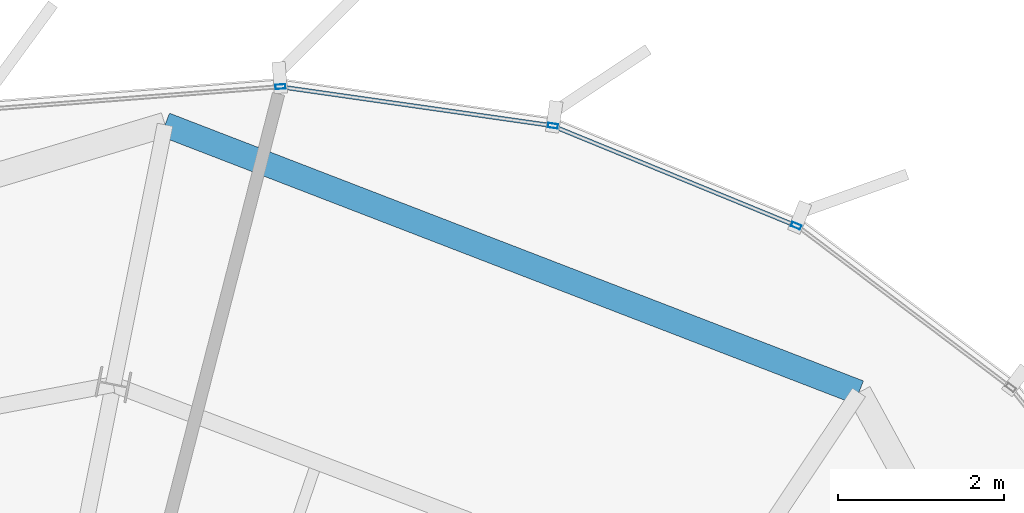
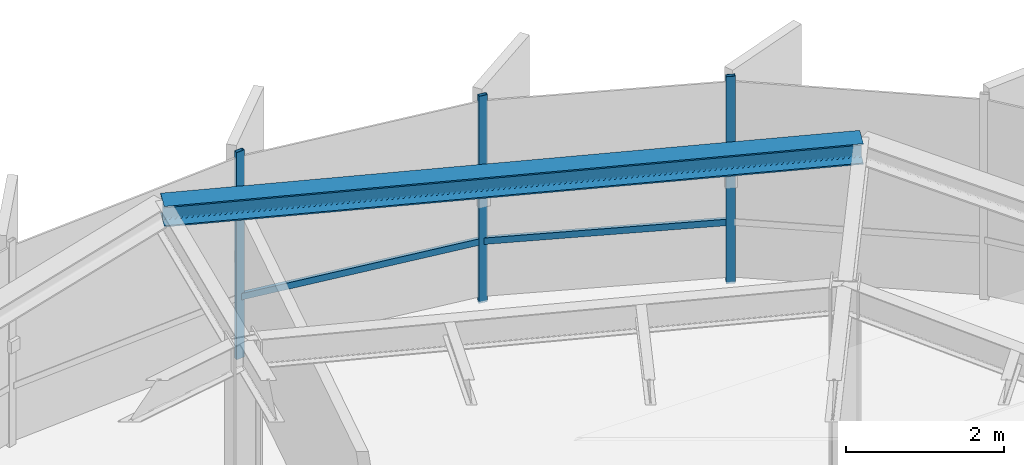
# One storey, part 22 of 31: 5 members, 1 beam, 1 element without a shape of its own.
"""IFC4 building model written with IfcOpenShell, lengths in metres."""

from ifc_helpers import new_model, si_unit, direction, frame, origin, origin_2d, place, context, subcontext, project, spatial, hollow_rectangle, i_section, extrude, source, transform, mapped, material, layer, layer_set, material_profile, profile_set, type_object, element, aggregate, save


model = new_model("IFC4")

# Units and contexts
model_context = context("Model", 3, precision=1e-05, world=origin(), true_north=direction((0.0, 1.0)))
body_context = subcontext(model_context, "Body", "Model", "MODEL_VIEW")
ifc_project = project(units=[si_unit("LENGTHUNIT", "METRE"), si_unit("AREAUNIT", "SQUARE_METRE"), si_unit("VOLUMEUNIT", "CUBIC_METRE"), si_unit("PLANEANGLEUNIT", "RADIAN"), si_unit("MASSUNIT", "GRAM", prefix="KILO"), si_unit("THERMODYNAMICTEMPERATUREUNIT", "KELVIN")], contexts=[model_context])

# Site, building, storey
site_placement = place(None, origin())
site = spatial("IfcSite", under=ifc_project, at=site_placement, CompositionType="ELEMENT")
building_placement = place(site_placement, origin())
building = spatial("IfcBuilding", under=site, at=building_placement, Name="Kethvar Cultural Tower", CompositionType="ELEMENT")
storey_placement = place(building_placement, frame((0.0, 0.0, 276.699951171875)))
storey = spatial("IfcBuildingStorey", under=building, at=storey_placement, Name="L73", CompositionType="ELEMENT", Elevation=276.699951171875)

# Beam
ifc_material_1 = material(Name="Steel S355J2", Category="steel")
ifc_material_profile_1 = material_profile(ifc_material_1, i_section(OverallWidth=0.300048828125, OverallDepth=0.320068359375, WebThickness=0.011474609375, FlangeThickness=0.0205078125, FilletRadius=0.027099609375, at=origin_2d()), Name="Steel S355J2 — HEB320")
ifc_profile_set_1 = profile_set([ifc_material_profile_1], Name="Steel S355J2 — HEB320")
beam_type = type_object("IfcBeamType", Name="BM-SP320", PredefinedType="SPANDREL", material=ifc_profile_set_1)
shared_shape_1 = source(origin(), body_context, "Body", "SweptSolid", [
    extrude(i_section(OverallWidth=0.300048828125, OverallDepth=0.320068359375, WebThickness=0.011474609375, FlangeThickness=0.0205078125, FilletRadius=0.027099609375, at=origin_2d()), origin(), (0.0, 0.0, 1.0), 8.98583984375),
])
beam_placement = place(storey_placement, frame((59.653076171875, 47.035888671875, 3.048095703125), z_axis=(-0.932983803051, 0.359918356359, 0.0), x_axis=(-0.359918356359, -0.932983803051, 0.0)))
element("IfcBeam", 1, at=beam_placement, inside=storey, type_object=beam_type, Name="L73 Perimeter Spandrel Beam SP-03", PredefinedType="SPANDREL", context=body_context, shape_type="MappedRepresentation", body=[
    mapped(shared_shape_1, transform((0.0, 0.0, 0.0), scale=1.0)),
])

# Curtain wall, members
ifc_material_2 = material(Name="Aluminium 6063-T6", Category="aluminium")
ifc_layer = layer(ifc_material_2, 0.179931640625, Name="Aluminium 6063-T6", Category="aluminium")
ifc_layer_set = layer_set([ifc_layer], Name="Aluminium 6063-T6 (180 mm)")
curtain_wall_type = type_object("IfcCurtainWallType", Name="CW-SYS-05-Z56", PredefinedType="NOTDEFINED", material=ifc_layer_set)
curtain_wall_placement = place(storey_placement, origin())
curtain_wall = element("IfcCurtainWall", 2, at=curtain_wall_placement, inside=storey, type_object=curtain_wall_type, Name="L73 Curtain Wall Run 01", PredefinedType="NOTDEFINED")
ifc_material_profile_2 = material_profile(ifc_material_2, hollow_rectangle(XDim=0.054931640625, YDim=0.1201171875, WallThickness=0.00390625, at=origin_2d()), Name="Aluminium 6063-T6 — RHS120x55x4")
ifc_profile_set_2 = profile_set([ifc_material_profile_2], Name="Aluminium 6063-T6 — RHS120x55x4")
member_type_1 = type_object("IfcMemberType", Name="CW-SYS-05-Z56-MUL", PredefinedType="MULLION", material=ifc_profile_set_2)
shared_shape_2 = source(origin(), body_context, "Body", "SweptSolid", [
    extrude(hollow_rectangle(XDim=0.054931640625, YDim=0.1201171875, WallThickness=0.00390625, at=origin_2d()), origin(), (0.0, 0.0, 1.0), 3.2099609375),
])
member_1_placement = place(storey_placement, frame((58.89453125, 49.049560546875, 0.0), z_axis=(0.0, 0.0, 1.0), x_axis=(-0.379246226337, -0.925295790442, 0.0)))
member_1 = element("IfcMember", 3, at=member_1_placement, type_object=member_type_1, Name="CW-L73-R01 Mullion 1", PredefinedType="MULLION", context=body_context, shape_type="MappedRepresentation", body=[
    mapped(shared_shape_2, transform((0.0, 0.0, 0.0), scale=1.0)),
])
member_2_placement = place(storey_placement, frame((55.955810546875, 50.257568359375, 0.0), z_axis=(0.0, 0.0, 1.0), x_axis=(-0.141471421228, -0.989942340228, 0.0)))
member_2 = element("IfcMember", 4, at=member_2_placement, type_object=member_type_1, Name="CW-L73-R01 Mullion 2", PredefinedType="MULLION", context=body_context, shape_type="MappedRepresentation", body=[
    mapped(shared_shape_2, transform((0.0, 0.0, 0.0), scale=1.0)),
])
member_3_placement = place(storey_placement, frame((52.663818359375, 50.73046875, 0.0), z_axis=(0.0, 0.0, 1.0), x_axis=(0.076719028127, -0.997052752227, 0.0)))
member_3 = element("IfcMember", 5, at=member_3_placement, type_object=member_type_1, Name="CW-L73-R01 Mullion 3", PredefinedType="MULLION", context=body_context, shape_type="MappedRepresentation", body=[
    mapped(shared_shape_2, transform((0.0, 0.0, 0.0), scale=1.0)),
])
ifc_material_profile_3 = material_profile(ifc_material_2, hollow_rectangle(XDim=0.050048828125, YDim=0.10009765625, WallThickness=0.00390625, at=origin_2d()), Name="Aluminium 6063-T6 — RHS100x50x4")
ifc_profile_set_3 = profile_set([ifc_material_profile_3], Name="Aluminium 6063-T6 — RHS100x50x4")
member_type_2 = type_object("IfcMemberType", Name="CW-SYS-05-Z56-TRN", PredefinedType="USERDEFINED", material=ifc_profile_set_3)
shared_shape_3 = source(origin(), body_context, "Body", "SweptSolid", [
    extrude(hollow_rectangle(XDim=0.050048828125, YDim=0.10009765625, WallThickness=0.00390625, at=origin_2d()), origin(), (0.0, 0.0, 1.0), 3.15869140625),
])
member_4_placement = place(storey_placement, frame((58.89111328125, 49.051025390625, 0.949951171875), z_axis=(-0.925282016436, 0.379279830812, 0.0), x_axis=(-0.379279830812, -0.925282016436, 0.0)))
member_4 = element("IfcMember", 6, at=member_4_placement, type_object=member_type_2, Name="CW-L73-R01 Transom 1", ObjectType="TRANSOM", PredefinedType="USERDEFINED", context=body_context, shape_type="MappedRepresentation", body=[
    mapped(shared_shape_3, transform((0.0, 0.0, 0.0), scale=1.0)),
])
shared_shape_4 = source(origin(), body_context, "Body", "SweptSolid", [
    extrude(hollow_rectangle(XDim=0.050048828125, YDim=0.10009765625, WallThickness=0.00390625, at=origin_2d()), origin(), (0.0, 0.0, 1.0), 3.268310546875),
])
member_5_placement = place(storey_placement, frame((55.91650390625, 50.26318359375, 0.949951171875), z_axis=(-0.989940527526, 0.141484104975, 0.0), x_axis=(-0.141484104975, -0.989940527526, 0.0)))
member_5 = element("IfcMember", 7, at=member_5_placement, type_object=member_type_2, Name="CW-L73-R01 Transom 2", ObjectType="TRANSOM", PredefinedType="USERDEFINED", context=body_context, shape_type="MappedRepresentation", body=[
    mapped(shared_shape_4, transform((0.0, 0.0, 0.0), scale=1.0)),
])
aggregate(curtain_wall, [member_1, member_2, member_3, member_4, member_5])

save(model, "model.ifc")
